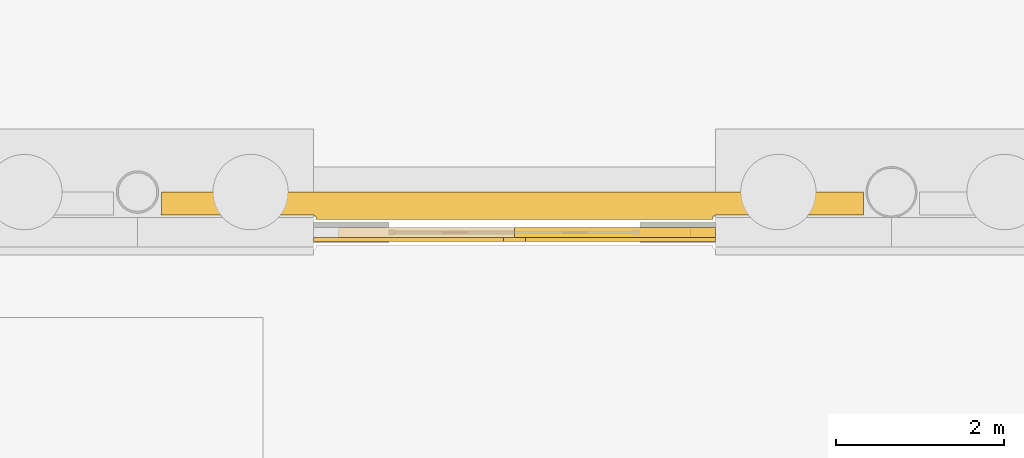
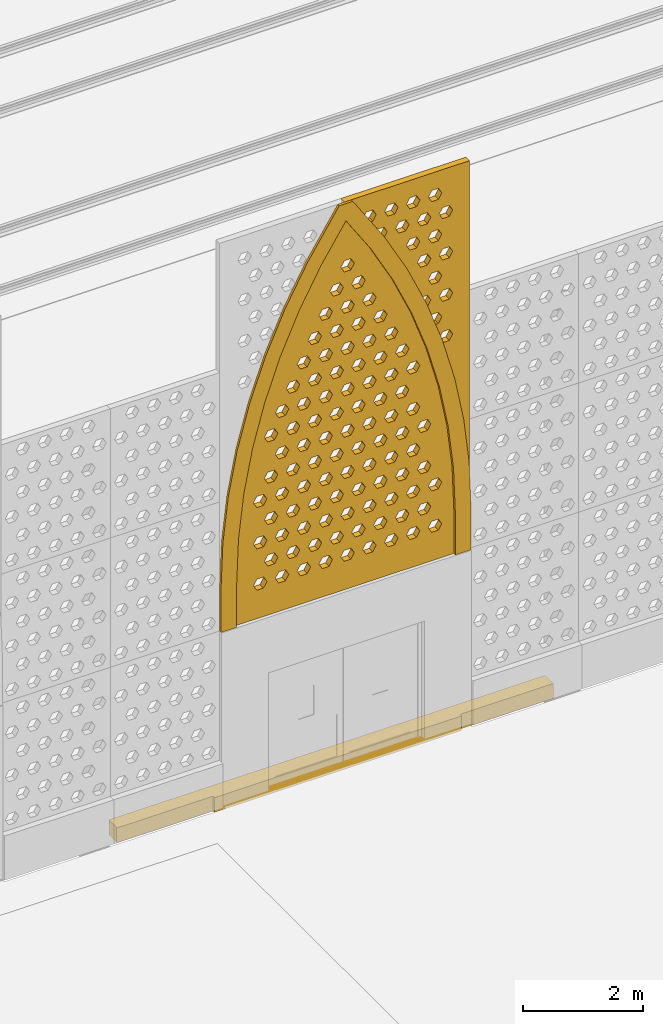
# One storey, part 192 of 250: 2 coverings, 2 shading devices.
"""IFC4 building model written with IfcOpenShell, lengths in metres."""

from ifc_helpers import new_model, si_unit, direction, frame, origin, place, context, subcontext, project, spatial, polyline, outline, extrude, material, layer, layer_set, type_object, element, save


model = new_model("IFC4")

# Units and contexts
model_context = context("Model", 3, precision=1e-05, world=origin(), true_north=direction((0.0, 1.0)))
body_context = subcontext(model_context, "Body", "Model", "MODEL_VIEW")
ifc_project = project(units=[si_unit("LENGTHUNIT", "METRE"), si_unit("AREAUNIT", "SQUARE_METRE"), si_unit("VOLUMEUNIT", "CUBIC_METRE"), si_unit("PLANEANGLEUNIT", "RADIAN"), si_unit("MASSUNIT", "GRAM", prefix="KILO")], contexts=[model_context])

# Site, building, storey
site_placement = place(None, origin())
site = spatial("IfcSite", under=ifc_project, at=site_placement, CompositionType="ELEMENT")
building_placement = place(site_placement, origin())
building = spatial("IfcBuilding", under=site, at=building_placement, Name="Baradari Gate Terminus", CompositionType="ELEMENT")
storey_placement = place(building_placement, origin())
storey = spatial("IfcBuildingStorey", under=building, at=storey_placement, Name="L00", CompositionType="ELEMENT", Elevation=0.0)

# Covering
ifc_material_1 = material(Name="Laterite masonry", Category="masonry")
ifc_layer_1 = layer(ifc_material_1, 0.050048828125)
ifc_layer_set_1 = layer_set([ifc_layer_1], Name="Laterite masonry")
covering_type_1 = type_object("IfcCoveringType", Name="Arch ring RG-1 50", PredefinedType="CLADDING", material=ifc_layer_set_1)
covering_1_placement = place(storey_placement, frame((173.10009765625, 35.43505859375, 3.52490234375), z_axis=(0.0, 0.0, 1.0), x_axis=(1.0, 0.0, 0.0)))
element("IfcCovering", 1, at=covering_1_placement, inside=storey, type_object=covering_type_1, Name="Arch ring RG-1 SC02b", PredefinedType="CLADDING", context=body_context, shape_type="SweptSolid", body=[
    extrude(outline(polyline([(0.034423828125, 1.8046875), (0.0, 0.90576171875), (0.0, 0.0), (0.300048828125, 0.0), (0.300048828125, 0.900146484375), (0.333740234375, 1.78173828125), (0.435302734375, 2.658203125), (0.603515625, 3.5244140625), (0.837646484375, 4.375), (1.13623046875, 5.205322265625), (1.49755859375, 6.01025390625), (1.919677734375, 6.784912109375), (2.39990234375, 7.525146484375), (2.880126953125, 6.784912109375), (3.30224609375, 6.01025390625), (3.663818359375, 5.205322265625), (3.96240234375, 4.375), (4.196533203125, 3.5244140625), (4.36474609375, 2.658203125), (4.466064453125, 1.78173828125), (4.5, 0.900146484375), (4.5, 0.0), (4.800048828125, 0.0), (4.800048828125, 0.90576171875), (4.765380859375, 1.8046875), (4.66162109375, 2.7041015625), (4.48876953125, 3.5927734375), (4.24853515625, 4.4658203125), (3.942138671875, 5.317626953125), (3.5712890625, 6.1435546875), (3.13818359375, 6.9384765625), (2.530517578125, 7.875), (2.26953125, 7.875), (1.661865234375, 6.9384765625), (1.228759765625, 6.1435546875), (0.85791015625, 5.317626953125), (0.55126953125, 4.4658203125), (0.31103515625, 3.5927734375), (0.138427734375, 2.7041015625), (0.034423828125, 1.8046875)])), frame((0.0, 0.02490234375, 0.0), z_axis=(0.0, -1.0, 0.0), x_axis=(1.0, 0.0, 0.0)), (0.0, 0.0, 1.0), 0.050048828125),
])

# Shading devices
ifc_material_2 = material(Name="Concrete C50/60 precast", Category="concrete")
ifc_layer_2 = layer(ifc_material_2, 0.1201171875)
ifc_layer_set_2 = layer_set([ifc_layer_2], Name="Concrete C50/60 precast")
shading_device_type = type_object("IfcShadingDeviceType", Name="Jali screen panel JS-2 120", PredefinedType="SHUTTER", material=ifc_layer_set_2)
shading_device_1_placement = place(storey_placement, frame((173.39990234375, 35.52001953125, 3.52490234375), z_axis=(0.0, 0.0, 1.0), x_axis=(1.0, 0.0, 0.0)))
element("IfcShadingDevice", 2, at=shading_device_1_placement, inside=storey, type_object=shading_device_type, Name="Jali screen panel JS-2 SC02b arch A", PredefinedType="SHUTTER", context=body_context, shape_type="SweptSolid", body=[
    extrude(outline(polyline([(0.0, 0.900146484375), (0.0, 0.0), (4.199951171875, 0.0), (4.199951171875, 0.900146484375), (4.166259765625, 1.78173828125), (4.064697265625, 2.658203125), (3.896484375, 3.5244140625), (3.662353515625, 4.375), (3.36376953125, 5.205322265625), (3.00244140625, 6.01025390625), (2.580322265625, 6.784912109375), (2.10009765625, 7.525146484375), (1.619873046875, 6.784912109375), (1.19775390625, 6.01025390625), (0.836181640625, 5.205322265625), (0.53759765625, 4.375), (0.303466796875, 3.5244140625), (0.13525390625, 2.658203125), (0.033935546875, 1.78173828125), (0.0, 0.900146484375)]), holes=[polyline([(0.610107421875, 0.690185546875), (0.544921875, 0.57763671875), (0.4150390625, 0.57763671875), (0.35009765625, 0.690185546875), (0.4150390625, 0.802734375), (0.544921875, 0.802734375), (0.610107421875, 0.690185546875)]), polyline([(1.030029296875, 0.690185546875), (0.965087890625, 0.57763671875), (0.8349609375, 0.57763671875), (0.77001953125, 0.690185546875), (0.8349609375, 0.802734375), (0.965087890625, 0.802734375), (1.030029296875, 0.690185546875)]), polyline([(1.449951171875, 0.690185546875), (1.385009765625, 0.57763671875), (1.2548828125, 0.57763671875), (1.18994140625, 0.690185546875), (1.2548828125, 0.802734375), (1.385009765625, 0.802734375), (1.449951171875, 0.690185546875)]), polyline([(1.8701171875, 0.690185546875), (1.804931640625, 0.57763671875), (1.675048828125, 0.57763671875), (1.610107421875, 0.690185546875), (1.675048828125, 0.802734375), (1.804931640625, 0.802734375), (1.8701171875, 0.690185546875)]), polyline([(2.2900390625, 0.690185546875), (2.22509765625, 0.57763671875), (2.094970703125, 0.57763671875), (2.030029296875, 0.690185546875), (2.094970703125, 0.802734375), (2.22509765625, 0.802734375), (2.2900390625, 0.690185546875)]), polyline([(2.7099609375, 0.690185546875), (2.64501953125, 0.57763671875), (2.514892578125, 0.57763671875), (2.449951171875, 0.690185546875), (2.514892578125, 0.802734375), (2.64501953125, 0.802734375), (2.7099609375, 0.690185546875)]), polyline([(3.1298828125, 0.690185546875), (3.06494140625, 0.57763671875), (2.93505859375, 0.57763671875), (2.8701171875, 0.690185546875), (2.93505859375, 0.802734375), (3.06494140625, 0.802734375), (3.1298828125, 0.690185546875)]), polyline([(3.550048828125, 0.690185546875), (3.485107421875, 0.57763671875), (3.35498046875, 0.57763671875), (3.2900390625, 0.690185546875), (3.35498046875, 0.802734375), (3.485107421875, 0.802734375), (3.550048828125, 0.690185546875)]), polyline([(3.969970703125, 0.690185546875), (3.905029296875, 0.57763671875), (3.77490234375, 0.57763671875), (3.7099609375, 0.690185546875), (3.77490234375, 0.802734375), (3.905029296875, 0.802734375), (3.969970703125, 0.690185546875)]), polyline([(0.820068359375, 1.110107421875), (0.7548828125, 0.99755859375), (0.625, 0.99755859375), (0.56005859375, 1.110107421875), (0.625, 1.22265625), (0.7548828125, 1.22265625), (0.820068359375, 1.110107421875)]), polyline([(1.239990234375, 1.110107421875), (1.175048828125, 0.99755859375), (1.044921875, 0.99755859375), (0.97998046875, 1.110107421875), (1.044921875, 1.22265625), (1.175048828125, 1.22265625), (1.239990234375, 1.110107421875)]), polyline([(1.659912109375, 1.110107421875), (1.594970703125, 0.99755859375), (1.465087890625, 0.99755859375), (1.39990234375, 1.110107421875), (1.465087890625, 1.22265625), (1.594970703125, 1.22265625), (1.659912109375, 1.110107421875)]), polyline([(2.080078125, 1.110107421875), (2.014892578125, 0.99755859375), (1.885009765625, 0.99755859375), (1.820068359375, 1.110107421875), (1.885009765625, 1.22265625), (2.014892578125, 1.22265625), (2.080078125, 1.110107421875)]), polyline([(2.5, 1.110107421875), (2.43505859375, 0.99755859375), (2.304931640625, 0.99755859375), (2.239990234375, 1.110107421875), (2.304931640625, 1.22265625), (2.43505859375, 1.22265625), (2.5, 1.110107421875)]), polyline([(2.919921875, 1.110107421875), (2.85498046875, 0.99755859375), (2.72509765625, 0.99755859375), (2.659912109375, 1.110107421875), (2.72509765625, 1.22265625), (2.85498046875, 1.22265625), (2.919921875, 1.110107421875)]), polyline([(3.340087890625, 1.110107421875), (3.27490234375, 0.99755859375), (3.14501953125, 0.99755859375), (3.080078125, 1.110107421875), (3.14501953125, 1.22265625), (3.27490234375, 1.22265625), (3.340087890625, 1.110107421875)]), polyline([(3.760009765625, 1.110107421875), (3.695068359375, 0.99755859375), (3.56494140625, 0.99755859375), (3.5, 1.110107421875), (3.56494140625, 1.22265625), (3.695068359375, 1.22265625), (3.760009765625, 1.110107421875)]), polyline([(0.610107421875, 1.530029296875), (0.544921875, 1.41748046875), (0.4150390625, 1.41748046875), (0.35009765625, 1.530029296875), (0.4150390625, 1.642578125), (0.544921875, 1.642578125), (0.610107421875, 1.530029296875)]), polyline([(1.030029296875, 1.530029296875), (0.965087890625, 1.41748046875), (0.8349609375, 1.41748046875), (0.77001953125, 1.530029296875), (0.8349609375, 1.642578125), (0.965087890625, 1.642578125), (1.030029296875, 1.530029296875)]), polyline([(1.449951171875, 1.530029296875), (1.385009765625, 1.41748046875), (1.2548828125, 1.41748046875), (1.18994140625, 1.530029296875), (1.2548828125, 1.642578125), (1.385009765625, 1.642578125), (1.449951171875, 1.530029296875)]), polyline([(1.8701171875, 1.530029296875), (1.804931640625, 1.41748046875), (1.675048828125, 1.41748046875), (1.610107421875, 1.530029296875), (1.675048828125, 1.642578125), (1.804931640625, 1.642578125), (1.8701171875, 1.530029296875)]), polyline([(2.2900390625, 1.530029296875), (2.22509765625, 1.41748046875), (2.094970703125, 1.41748046875), (2.030029296875, 1.530029296875), (2.094970703125, 1.642578125), (2.22509765625, 1.642578125), (2.2900390625, 1.530029296875)]), polyline([(2.7099609375, 1.530029296875), (2.64501953125, 1.41748046875), (2.514892578125, 1.41748046875), (2.449951171875, 1.530029296875), (2.514892578125, 1.642578125), (2.64501953125, 1.642578125), (2.7099609375, 1.530029296875)]), polyline([(3.1298828125, 1.530029296875), (3.06494140625, 1.41748046875), (2.93505859375, 1.41748046875), (2.8701171875, 1.530029296875), (2.93505859375, 1.642578125), (3.06494140625, 1.642578125), (3.1298828125, 1.530029296875)]), polyline([(3.550048828125, 1.530029296875), (3.485107421875, 1.41748046875), (3.35498046875, 1.41748046875), (3.2900390625, 1.530029296875), (3.35498046875, 1.642578125), (3.485107421875, 1.642578125), (3.550048828125, 1.530029296875)]), polyline([(3.969970703125, 1.530029296875), (3.905029296875, 1.41748046875), (3.77490234375, 1.41748046875), (3.7099609375, 1.530029296875), (3.77490234375, 1.642578125), (3.905029296875, 1.642578125), (3.969970703125, 1.530029296875)]), polyline([(0.820068359375, 1.9501953125), (0.7548828125, 1.83740234375), (0.625, 1.83740234375), (0.56005859375, 1.9501953125), (0.625, 2.062744140625), (0.7548828125, 2.062744140625), (0.820068359375, 1.9501953125)]), polyline([(1.239990234375, 1.9501953125), (1.175048828125, 1.83740234375), (1.044921875, 1.83740234375), (0.97998046875, 1.9501953125), (1.044921875, 2.062744140625), (1.175048828125, 2.062744140625), (1.239990234375, 1.9501953125)]), polyline([(1.659912109375, 1.9501953125), (1.594970703125, 1.83740234375), (1.465087890625, 1.83740234375), (1.39990234375, 1.9501953125), (1.465087890625, 2.062744140625), (1.594970703125, 2.062744140625), (1.659912109375, 1.9501953125)]), polyline([(2.080078125, 1.9501953125), (2.014892578125, 1.83740234375), (1.885009765625, 1.83740234375), (1.820068359375, 1.9501953125), (1.885009765625, 2.062744140625), (2.014892578125, 2.062744140625), (2.080078125, 1.9501953125)]), polyline([(2.5, 1.9501953125), (2.43505859375, 1.83740234375), (2.304931640625, 1.83740234375), (2.239990234375, 1.9501953125), (2.304931640625, 2.062744140625), (2.43505859375, 2.062744140625), (2.5, 1.9501953125)]), polyline([(2.919921875, 1.9501953125), (2.85498046875, 1.83740234375), (2.72509765625, 1.83740234375), (2.659912109375, 1.9501953125), (2.72509765625, 2.062744140625), (2.85498046875, 2.062744140625), (2.919921875, 1.9501953125)]), polyline([(3.340087890625, 1.9501953125), (3.27490234375, 1.83740234375), (3.14501953125, 1.83740234375), (3.080078125, 1.9501953125), (3.14501953125, 2.062744140625), (3.27490234375, 2.062744140625), (3.340087890625, 1.9501953125)]), polyline([(3.760009765625, 1.9501953125), (3.695068359375, 1.83740234375), (3.56494140625, 1.83740234375), (3.5, 1.9501953125), (3.56494140625, 2.062744140625), (3.695068359375, 2.062744140625), (3.760009765625, 1.9501953125)]), polyline([(0.610107421875, 2.3701171875), (0.544921875, 2.257568359375), (0.4150390625, 2.257568359375), (0.35009765625, 2.3701171875), (0.4150390625, 2.482666015625), (0.544921875, 2.482666015625), (0.610107421875, 2.3701171875)]), polyline([(1.030029296875, 2.3701171875), (0.965087890625, 2.257568359375), (0.8349609375, 2.257568359375), (0.77001953125, 2.3701171875), (0.8349609375, 2.482666015625), (0.965087890625, 2.482666015625), (1.030029296875, 2.3701171875)]), polyline([(1.449951171875, 2.3701171875), (1.385009765625, 2.257568359375), (1.2548828125, 2.257568359375), (1.18994140625, 2.3701171875), (1.2548828125, 2.482666015625), (1.385009765625, 2.482666015625), (1.449951171875, 2.3701171875)]), polyline([(1.8701171875, 2.3701171875), (1.804931640625, 2.257568359375), (1.675048828125, 2.257568359375), (1.610107421875, 2.3701171875), (1.675048828125, 2.482666015625), (1.804931640625, 2.482666015625), (1.8701171875, 2.3701171875)]), polyline([(2.2900390625, 2.3701171875), (2.22509765625, 2.257568359375), (2.094970703125, 2.257568359375), (2.030029296875, 2.3701171875), (2.094970703125, 2.482666015625), (2.22509765625, 2.482666015625), (2.2900390625, 2.3701171875)]), polyline([(2.7099609375, 2.3701171875), (2.64501953125, 2.257568359375), (2.514892578125, 2.257568359375), (2.449951171875, 2.3701171875), (2.514892578125, 2.482666015625), (2.64501953125, 2.482666015625), (2.7099609375, 2.3701171875)]), polyline([(3.1298828125, 2.3701171875), (3.06494140625, 2.257568359375), (2.93505859375, 2.257568359375), (2.8701171875, 2.3701171875), (2.93505859375, 2.482666015625), (3.06494140625, 2.482666015625), (3.1298828125, 2.3701171875)]), polyline([(3.550048828125, 2.3701171875), (3.485107421875, 2.257568359375), (3.35498046875, 2.257568359375), (3.2900390625, 2.3701171875), (3.35498046875, 2.482666015625), (3.485107421875, 2.482666015625), (3.550048828125, 2.3701171875)]), polyline([(0.820068359375, 2.7900390625), (0.7548828125, 2.677490234375), (0.625, 2.677490234375), (0.56005859375, 2.7900390625), (0.625, 2.902587890625), (0.7548828125, 2.902587890625), (0.820068359375, 2.7900390625)]), polyline([(1.239990234375, 2.7900390625), (1.175048828125, 2.677490234375), (1.044921875, 2.677490234375), (0.97998046875, 2.7900390625), (1.044921875, 2.902587890625), (1.175048828125, 2.902587890625), (1.239990234375, 2.7900390625)]), polyline([(1.659912109375, 2.7900390625), (1.594970703125, 2.677490234375), (1.465087890625, 2.677490234375), (1.39990234375, 2.7900390625), (1.465087890625, 2.902587890625), (1.594970703125, 2.902587890625), (1.659912109375, 2.7900390625)]), polyline([(2.080078125, 2.7900390625), (2.014892578125, 2.677490234375), (1.885009765625, 2.677490234375), (1.820068359375, 2.7900390625), (1.885009765625, 2.902587890625), (2.014892578125, 2.902587890625), (2.080078125, 2.7900390625)]), polyline([(2.5, 2.7900390625), (2.43505859375, 2.677490234375), (2.304931640625, 2.677490234375), (2.239990234375, 2.7900390625), (2.304931640625, 2.902587890625), (2.43505859375, 2.902587890625), (2.5, 2.7900390625)]), polyline([(2.919921875, 2.7900390625), (2.85498046875, 2.677490234375), (2.72509765625, 2.677490234375), (2.659912109375, 2.7900390625), (2.72509765625, 2.902587890625), (2.85498046875, 2.902587890625), (2.919921875, 2.7900390625)]), polyline([(3.340087890625, 2.7900390625), (3.27490234375, 2.677490234375), (3.14501953125, 2.677490234375), (3.080078125, 2.7900390625), (3.14501953125, 2.902587890625), (3.27490234375, 2.902587890625), (3.340087890625, 2.7900390625)]), polyline([(3.760009765625, 2.7900390625), (3.695068359375, 2.677490234375), (3.56494140625, 2.677490234375), (3.5, 2.7900390625), (3.56494140625, 2.902587890625), (3.695068359375, 2.902587890625), (3.760009765625, 2.7900390625)]), polyline([(1.030029296875, 3.210205078125), (0.965087890625, 3.097412109375), (0.8349609375, 3.097412109375), (0.77001953125, 3.210205078125), (0.8349609375, 3.32275390625), (0.965087890625, 3.32275390625), (1.030029296875, 3.210205078125)]), polyline([(1.449951171875, 3.210205078125), (1.385009765625, 3.097412109375), (1.2548828125, 3.097412109375), (1.18994140625, 3.210205078125), (1.2548828125, 3.32275390625), (1.385009765625, 3.32275390625), (1.449951171875, 3.210205078125)]), polyline([(1.8701171875, 3.210205078125), (1.804931640625, 3.097412109375), (1.675048828125, 3.097412109375), (1.610107421875, 3.210205078125), (1.675048828125, 3.32275390625), (1.804931640625, 3.32275390625), (1.8701171875, 3.210205078125)]), polyline([(2.2900390625, 3.210205078125), (2.22509765625, 3.097412109375), (2.094970703125, 3.097412109375), (2.030029296875, 3.210205078125), (2.094970703125, 3.32275390625), (2.22509765625, 3.32275390625), (2.2900390625, 3.210205078125)]), polyline([(2.7099609375, 3.210205078125), (2.64501953125, 3.097412109375), (2.514892578125, 3.097412109375), (2.449951171875, 3.210205078125), (2.514892578125, 3.32275390625), (2.64501953125, 3.32275390625), (2.7099609375, 3.210205078125)]), polyline([(3.1298828125, 3.210205078125), (3.06494140625, 3.097412109375), (2.93505859375, 3.097412109375), (2.8701171875, 3.210205078125), (2.93505859375, 3.32275390625), (3.06494140625, 3.32275390625), (3.1298828125, 3.210205078125)]), polyline([(3.550048828125, 3.210205078125), (3.485107421875, 3.097412109375), (3.35498046875, 3.097412109375), (3.2900390625, 3.210205078125), (3.35498046875, 3.32275390625), (3.485107421875, 3.32275390625), (3.550048828125, 3.210205078125)]), polyline([(0.820068359375, 3.630126953125), (0.7548828125, 3.517578125), (0.625, 3.517578125), (0.56005859375, 3.630126953125), (0.625, 3.74267578125), (0.7548828125, 3.74267578125), (0.820068359375, 3.630126953125)]), polyline([(1.239990234375, 3.630126953125), (1.175048828125, 3.517578125), (1.044921875, 3.517578125), (0.97998046875, 3.630126953125), (1.044921875, 3.74267578125), (1.175048828125, 3.74267578125), (1.239990234375, 3.630126953125)]), polyline([(1.659912109375, 3.630126953125), (1.594970703125, 3.517578125), (1.465087890625, 3.517578125), (1.39990234375, 3.630126953125), (1.465087890625, 3.74267578125), (1.594970703125, 3.74267578125), (1.659912109375, 3.630126953125)]), polyline([(2.080078125, 3.630126953125), (2.014892578125, 3.517578125), (1.885009765625, 3.517578125), (1.820068359375, 3.630126953125), (1.885009765625, 3.74267578125), (2.014892578125, 3.74267578125), (2.080078125, 3.630126953125)]), polyline([(2.5, 3.630126953125), (2.43505859375, 3.517578125), (2.304931640625, 3.517578125), (2.239990234375, 3.630126953125), (2.304931640625, 3.74267578125), (2.43505859375, 3.74267578125), (2.5, 3.630126953125)]), polyline([(2.919921875, 3.630126953125), (2.85498046875, 3.517578125), (2.72509765625, 3.517578125), (2.659912109375, 3.630126953125), (2.72509765625, 3.74267578125), (2.85498046875, 3.74267578125), (2.919921875, 3.630126953125)]), polyline([(3.340087890625, 3.630126953125), (3.27490234375, 3.517578125), (3.14501953125, 3.517578125), (3.080078125, 3.630126953125), (3.14501953125, 3.74267578125), (3.27490234375, 3.74267578125), (3.340087890625, 3.630126953125)]), polyline([(1.030029296875, 4.050048828125), (0.965087890625, 3.9375), (0.8349609375, 3.9375), (0.77001953125, 4.050048828125), (0.8349609375, 4.16259765625), (0.965087890625, 4.16259765625), (1.030029296875, 4.050048828125)]), polyline([(1.449951171875, 4.050048828125), (1.385009765625, 3.9375), (1.2548828125, 3.9375), (1.18994140625, 4.050048828125), (1.2548828125, 4.16259765625), (1.385009765625, 4.16259765625), (1.449951171875, 4.050048828125)]), polyline([(1.8701171875, 4.050048828125), (1.804931640625, 3.9375), (1.675048828125, 3.9375), (1.610107421875, 4.050048828125), (1.675048828125, 4.16259765625), (1.804931640625, 4.16259765625), (1.8701171875, 4.050048828125)]), polyline([(2.2900390625, 4.050048828125), (2.22509765625, 3.9375), (2.094970703125, 3.9375), (2.030029296875, 4.050048828125), (2.094970703125, 4.16259765625), (2.22509765625, 4.16259765625), (2.2900390625, 4.050048828125)]), polyline([(2.7099609375, 4.050048828125), (2.64501953125, 3.9375), (2.514892578125, 3.9375), (2.449951171875, 4.050048828125), (2.514892578125, 4.16259765625), (2.64501953125, 4.16259765625), (2.7099609375, 4.050048828125)]), polyline([(3.1298828125, 4.050048828125), (3.06494140625, 3.9375), (2.93505859375, 3.9375), (2.8701171875, 4.050048828125), (2.93505859375, 4.16259765625), (3.06494140625, 4.16259765625), (3.1298828125, 4.050048828125)]), polyline([(3.550048828125, 4.050048828125), (3.485107421875, 3.9375), (3.35498046875, 3.9375), (3.2900390625, 4.050048828125), (3.35498046875, 4.16259765625), (3.485107421875, 4.16259765625), (3.550048828125, 4.050048828125)]), polyline([(1.239990234375, 4.47021484375), (1.175048828125, 4.357421875), (1.044921875, 4.357421875), (0.97998046875, 4.47021484375), (1.044921875, 4.582763671875), (1.175048828125, 4.582763671875), (1.239990234375, 4.47021484375)]), polyline([(1.659912109375, 4.47021484375), (1.594970703125, 4.357421875), (1.465087890625, 4.357421875), (1.39990234375, 4.47021484375), (1.465087890625, 4.582763671875), (1.594970703125, 4.582763671875), (1.659912109375, 4.47021484375)]), polyline([(2.080078125, 4.47021484375), (2.014892578125, 4.357421875), (1.885009765625, 4.357421875), (1.820068359375, 4.47021484375), (1.885009765625, 4.582763671875), (2.014892578125, 4.582763671875), (2.080078125, 4.47021484375)]), polyline([(2.5, 4.47021484375), (2.43505859375, 4.357421875), (2.304931640625, 4.357421875), (2.239990234375, 4.47021484375), (2.304931640625, 4.582763671875), (2.43505859375, 4.582763671875), (2.5, 4.47021484375)]), polyline([(2.919921875, 4.47021484375), (2.85498046875, 4.357421875), (2.72509765625, 4.357421875), (2.659912109375, 4.47021484375), (2.72509765625, 4.582763671875), (2.85498046875, 4.582763671875), (2.919921875, 4.47021484375)]), polyline([(3.340087890625, 4.47021484375), (3.27490234375, 4.357421875), (3.14501953125, 4.357421875), (3.080078125, 4.47021484375), (3.14501953125, 4.582763671875), (3.27490234375, 4.582763671875), (3.340087890625, 4.47021484375)]), polyline([(1.449951171875, 4.89013671875), (1.385009765625, 4.777587890625), (1.2548828125, 4.777587890625), (1.18994140625, 4.89013671875), (1.2548828125, 5.002685546875), (1.385009765625, 5.002685546875), (1.449951171875, 4.89013671875)]), polyline([(1.8701171875, 4.89013671875), (1.804931640625, 4.777587890625), (1.675048828125, 4.777587890625), (1.610107421875, 4.89013671875), (1.675048828125, 5.002685546875), (1.804931640625, 5.002685546875), (1.8701171875, 4.89013671875)]), polyline([(2.2900390625, 4.89013671875), (2.22509765625, 4.777587890625), (2.094970703125, 4.777587890625), (2.030029296875, 4.89013671875), (2.094970703125, 5.002685546875), (2.22509765625, 5.002685546875), (2.2900390625, 4.89013671875)]), polyline([(2.7099609375, 4.89013671875), (2.64501953125, 4.777587890625), (2.514892578125, 4.777587890625), (2.449951171875, 4.89013671875), (2.514892578125, 5.002685546875), (2.64501953125, 5.002685546875), (2.7099609375, 4.89013671875)]), polyline([(3.1298828125, 4.89013671875), (3.06494140625, 4.777587890625), (2.93505859375, 4.777587890625), (2.8701171875, 4.89013671875), (2.93505859375, 5.002685546875), (3.06494140625, 5.002685546875), (3.1298828125, 4.89013671875)]), polyline([(1.659912109375, 5.31005859375), (1.594970703125, 5.197509765625), (1.465087890625, 5.197509765625), (1.39990234375, 5.31005859375), (1.465087890625, 5.422607421875), (1.594970703125, 5.422607421875), (1.659912109375, 5.31005859375)]), polyline([(2.080078125, 5.31005859375), (2.014892578125, 5.197509765625), (1.885009765625, 5.197509765625), (1.820068359375, 5.31005859375), (1.885009765625, 5.422607421875), (2.014892578125, 5.422607421875), (2.080078125, 5.31005859375)]), polyline([(2.5, 5.31005859375), (2.43505859375, 5.197509765625), (2.304931640625, 5.197509765625), (2.239990234375, 5.31005859375), (2.304931640625, 5.422607421875), (2.43505859375, 5.422607421875), (2.5, 5.31005859375)]), polyline([(2.919921875, 5.31005859375), (2.85498046875, 5.197509765625), (2.72509765625, 5.197509765625), (2.659912109375, 5.31005859375), (2.72509765625, 5.422607421875), (2.85498046875, 5.422607421875), (2.919921875, 5.31005859375)]), polyline([(1.8701171875, 5.72998046875), (1.804931640625, 5.617431640625), (1.675048828125, 5.617431640625), (1.610107421875, 5.72998046875), (1.675048828125, 5.8427734375), (1.804931640625, 5.8427734375), (1.8701171875, 5.72998046875)]), polyline([(2.2900390625, 5.72998046875), (2.22509765625, 5.617431640625), (2.094970703125, 5.617431640625), (2.030029296875, 5.72998046875), (2.094970703125, 5.8427734375), (2.22509765625, 5.8427734375), (2.2900390625, 5.72998046875)]), polyline([(2.7099609375, 5.72998046875), (2.64501953125, 5.617431640625), (2.514892578125, 5.617431640625), (2.449951171875, 5.72998046875), (2.514892578125, 5.8427734375), (2.64501953125, 5.8427734375), (2.7099609375, 5.72998046875)]), polyline([(2.080078125, 6.150146484375), (2.014892578125, 6.03759765625), (1.885009765625, 6.03759765625), (1.820068359375, 6.150146484375), (1.885009765625, 6.2626953125), (2.014892578125, 6.2626953125), (2.080078125, 6.150146484375)]), polyline([(2.5, 6.150146484375), (2.43505859375, 6.03759765625), (2.304931640625, 6.03759765625), (2.239990234375, 6.150146484375), (2.304931640625, 6.2626953125), (2.43505859375, 6.2626953125), (2.5, 6.150146484375)]), polyline([(2.2900390625, 6.570068359375), (2.22509765625, 6.45751953125), (2.094970703125, 6.45751953125), (2.030029296875, 6.570068359375), (2.094970703125, 6.6826171875), (2.22509765625, 6.6826171875), (2.2900390625, 6.570068359375)])]), frame((0.0, 0.06005859375, 0.0), z_axis=(0.0, -1.0, 0.0), x_axis=(1.0, 0.0, 0.0)), (0.0, 0.0, 1.0), 0.1201171875),
])
shading_device_2_placement = place(storey_placement, frame((175.5, 35.52001953125, 3.52490234375), z_axis=(0.0, 0.0, 1.0), x_axis=(1.0, 0.0, 0.0)))
element("IfcShadingDevice", 3, at=shading_device_2_placement, inside=storey, type_object=shading_device_type, Name="Jali screen panel JS-2 SC02b arch R1", PredefinedType="SHUTTER", context=body_context, shape_type="SweptSolid", body=[
    extrude(outline(polyline([(0.0, 7.875), (0.0, 7.525146484375), (0.480224609375, 6.784912109375), (0.90234375, 6.01025390625), (1.263671875, 5.205322265625), (1.5625, 4.375), (1.796630859375, 3.5244140625), (1.96484375, 2.658203125), (2.066162109375, 1.78173828125), (2.10009765625, 0.900146484375), (2.10009765625, 0.0), (2.39990234375, 0.0), (2.39990234375, 7.875), (0.0, 7.875)]), holes=[polyline([(2.080078125, 4.47021484375), (2.014892578125, 4.357421875), (1.885009765625, 4.357421875), (1.820068359375, 4.47021484375), (1.885009765625, 4.582763671875), (2.014892578125, 4.582763671875), (2.080078125, 4.47021484375)]), polyline([(1.8701171875, 4.89013671875), (1.804931640625, 4.777587890625), (1.675048828125, 4.777587890625), (1.610107421875, 4.89013671875), (1.675048828125, 5.002685546875), (1.804931640625, 5.002685546875), (1.8701171875, 4.89013671875)]), polyline([(1.659912109375, 5.31005859375), (1.594970703125, 5.197509765625), (1.465087890625, 5.197509765625), (1.39990234375, 5.31005859375), (1.465087890625, 5.422607421875), (1.594970703125, 5.422607421875), (1.659912109375, 5.31005859375)]), polyline([(2.080078125, 5.31005859375), (2.014892578125, 5.197509765625), (1.885009765625, 5.197509765625), (1.820068359375, 5.31005859375), (1.885009765625, 5.422607421875), (2.014892578125, 5.422607421875), (2.080078125, 5.31005859375)]), polyline([(1.8701171875, 5.72998046875), (1.804931640625, 5.617431640625), (1.675048828125, 5.617431640625), (1.610107421875, 5.72998046875), (1.675048828125, 5.8427734375), (1.804931640625, 5.8427734375), (1.8701171875, 5.72998046875)]), polyline([(1.659912109375, 6.150146484375), (1.594970703125, 6.03759765625), (1.465087890625, 6.03759765625), (1.39990234375, 6.150146484375), (1.465087890625, 6.2626953125), (1.594970703125, 6.2626953125), (1.659912109375, 6.150146484375)]), polyline([(2.080078125, 6.150146484375), (2.014892578125, 6.03759765625), (1.885009765625, 6.03759765625), (1.820068359375, 6.150146484375), (1.885009765625, 6.2626953125), (2.014892578125, 6.2626953125), (2.080078125, 6.150146484375)]), polyline([(1.449951171875, 6.570068359375), (1.385009765625, 6.45751953125), (1.2548828125, 6.45751953125), (1.18994140625, 6.570068359375), (1.2548828125, 6.6826171875), (1.385009765625, 6.6826171875), (1.449951171875, 6.570068359375)]), polyline([(1.8701171875, 6.570068359375), (1.804931640625, 6.45751953125), (1.675048828125, 6.45751953125), (1.610107421875, 6.570068359375), (1.675048828125, 6.6826171875), (1.804931640625, 6.6826171875), (1.8701171875, 6.570068359375)]), polyline([(0.820068359375, 6.989990234375), (0.7548828125, 6.87744140625), (0.625, 6.87744140625), (0.56005859375, 6.989990234375), (0.625, 7.102783203125), (0.7548828125, 7.102783203125), (0.820068359375, 6.989990234375)]), polyline([(1.239990234375, 6.989990234375), (1.175048828125, 6.87744140625), (1.044921875, 6.87744140625), (0.97998046875, 6.989990234375), (1.044921875, 7.102783203125), (1.175048828125, 7.102783203125), (1.239990234375, 6.989990234375)]), polyline([(1.659912109375, 6.989990234375), (1.594970703125, 6.87744140625), (1.465087890625, 6.87744140625), (1.39990234375, 6.989990234375), (1.465087890625, 7.102783203125), (1.594970703125, 7.102783203125), (1.659912109375, 6.989990234375)]), polyline([(2.080078125, 6.989990234375), (2.014892578125, 6.87744140625), (1.885009765625, 6.87744140625), (1.820068359375, 6.989990234375), (1.885009765625, 7.102783203125), (2.014892578125, 7.102783203125), (2.080078125, 6.989990234375)]), polyline([(0.610107421875, 7.41015625), (0.544921875, 7.297607421875), (0.4150390625, 7.297607421875), (0.35009765625, 7.41015625), (0.4150390625, 7.522705078125), (0.544921875, 7.522705078125), (0.610107421875, 7.41015625)]), polyline([(1.030029296875, 7.41015625), (0.965087890625, 7.297607421875), (0.8349609375, 7.297607421875), (0.77001953125, 7.41015625), (0.8349609375, 7.522705078125), (0.965087890625, 7.522705078125), (1.030029296875, 7.41015625)]), polyline([(1.449951171875, 7.41015625), (1.385009765625, 7.297607421875), (1.2548828125, 7.297607421875), (1.18994140625, 7.41015625), (1.2548828125, 7.522705078125), (1.385009765625, 7.522705078125), (1.449951171875, 7.41015625)]), polyline([(1.8701171875, 7.41015625), (1.804931640625, 7.297607421875), (1.675048828125, 7.297607421875), (1.610107421875, 7.41015625), (1.675048828125, 7.522705078125), (1.804931640625, 7.522705078125), (1.8701171875, 7.41015625)])]), frame((0.0, 0.06005859375, 0.0), z_axis=(0.0, -1.0, 0.0), x_axis=(1.0, 0.0, 0.0)), (0.0, 0.0, 1.0), 0.1201171875),
])

# Covering
ifc_material_3 = material(Name="Planted lawn")
ifc_layer_3 = layer(ifc_material_3, 0.300048828125)
ifc_layer_set_3 = layer_set([ifc_layer_3], Name="Planted lawn")
covering_type_2 = type_object("IfcCoveringType", Name="Planted lawn bed LW-1 300", PredefinedType="USERDEFINED", material=ifc_layer_set_3)
covering_2_placement = place(storey_placement, frame((0.0, 0.0, -0.300048828125)))
element("IfcCovering", 4, at=covering_2_placement, inside=storey, type_object=covering_type_2, Name="Planted lawn 5", ObjectType="LAWN", PredefinedType="USERDEFINED", context=body_context, shape_type="SweptSolid", body=[
    extrude(outline(polyline([(171.279052734375, 35.729248046875), (171.277099609375, 35.72705078125), (171.275390625, 35.72509765625), (173.10009765625, 35.72509765625), (173.10302734375, 35.724853515625), (173.10595703125, 35.724365234375), (173.108642578125, 35.7236328125), (173.111572265625, 35.72265625), (173.1142578125, 35.721435546875), (173.11669921875, 35.719970703125), (173.119140625, 35.71826171875), (173.12109375, 35.71630859375), (173.123291015625, 35.714111328125), (173.125, 35.711669921875), (173.12646484375, 35.709228515625), (173.127685546875, 35.70654296875), (173.128662109375, 35.70361328125), (173.12939453125, 35.700927734375), (173.1298828125, 35.697998046875), (173.1298828125, 35.695068359375), (173.1298828125, 35.675048828125), (177.8701171875, 35.675048828125), (177.8701171875, 35.695068359375), (177.8701171875, 35.697998046875), (177.87060546875, 35.700927734375), (177.871337890625, 35.70361328125), (177.872314453125, 35.70654296875), (177.87353515625, 35.709228515625), (177.875, 35.711669921875), (177.876708984375, 35.714111328125), (177.87890625, 35.71630859375), (177.880859375, 35.71826171875), (177.88330078125, 35.719970703125), (177.8857421875, 35.721435546875), (177.888427734375, 35.72265625), (177.891357421875, 35.7236328125), (177.89404296875, 35.724365234375), (177.89697265625, 35.724853515625), (177.89990234375, 35.72509765625), (179.6650390625, 35.72509765625), (179.6650390625, 36.0), (171.283935546875, 36.0), (171.283935546875, 35.74609375), (171.283935546875, 35.7431640625), (171.283447265625, 35.740234375), (171.28271484375, 35.7373046875), (171.28173828125, 35.734619140625), (171.280517578125, 35.73193359375), (171.279052734375, 35.729248046875)])), origin(), (0.0, 0.0, 1.0), 0.300048828125),
])

save(model, "model.ifc")
